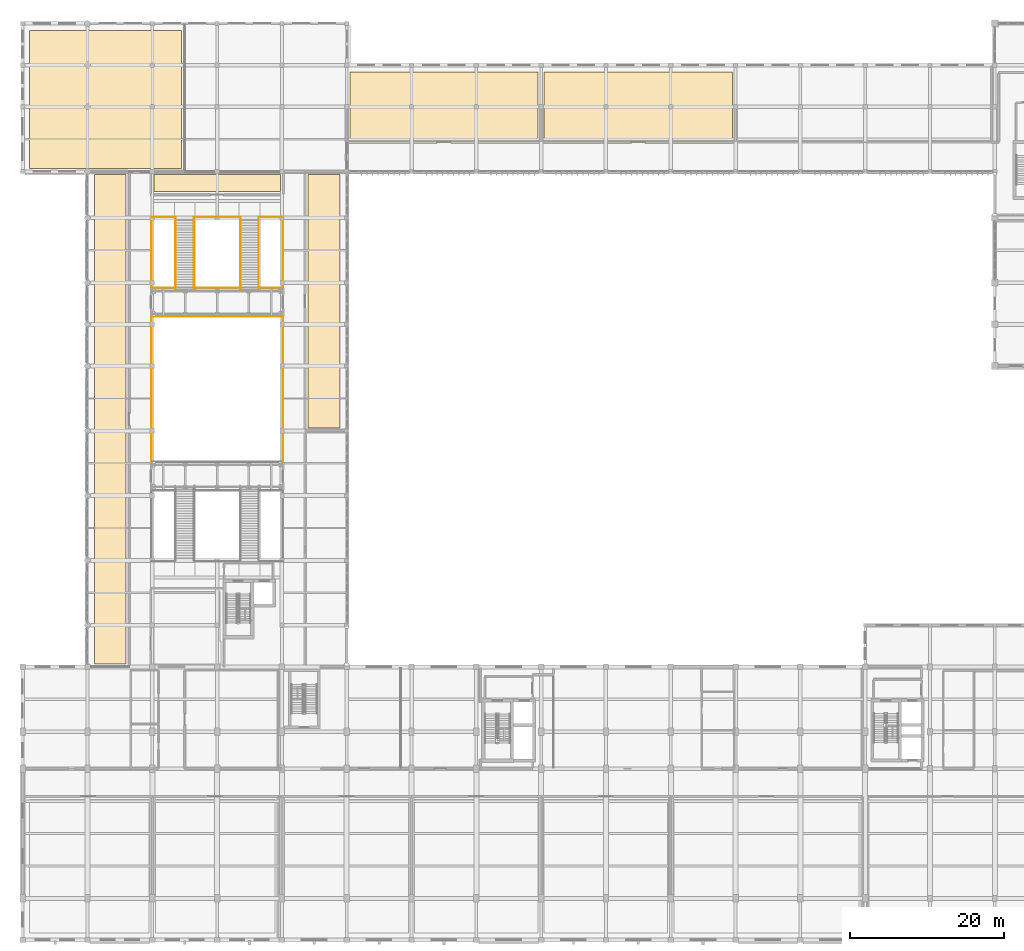
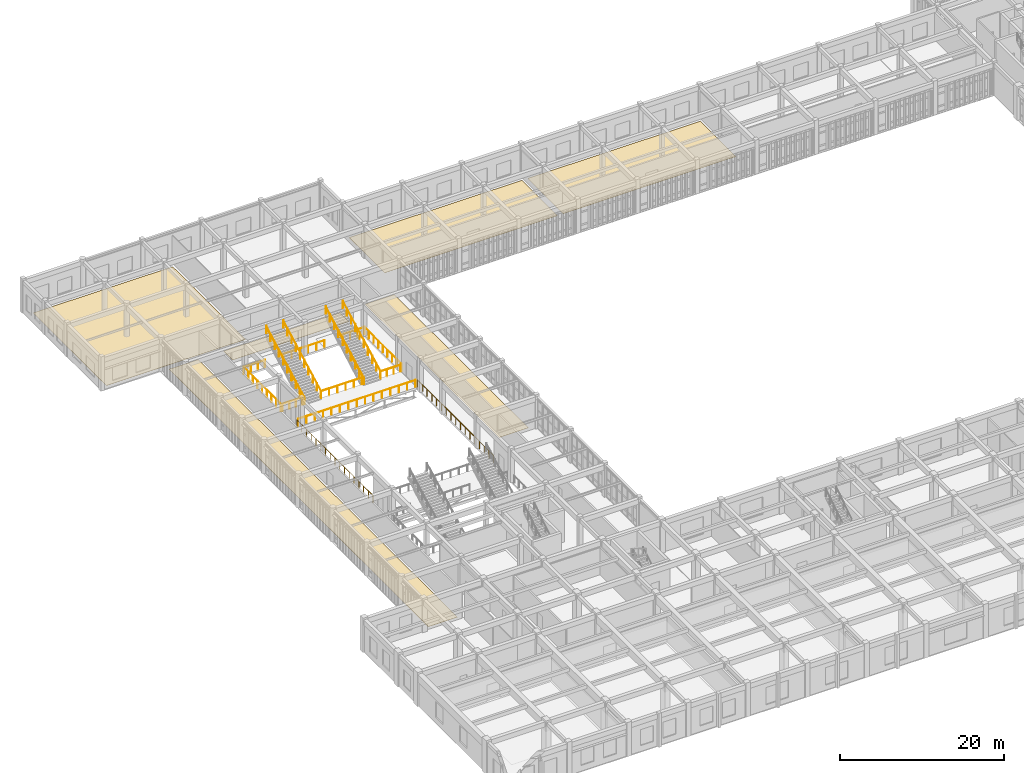
# One storey, part 105 of 106: 17 railings, 6 coverings.
"""IFC4 building model written with IfcOpenShell, lengths in metres."""

from ifc_helpers import new_model, si_unit, direction, frame, origin, origin_2d, place, context, subcontext, project, spatial, polyline, circle, outline, extrude, material, layer, layer_set, type_object, element, save


model = new_model("IFC4")

# Units and contexts
model_context = context("Model", 3, precision=1e-05, world=origin(), true_north=direction((0.0, 1.0)))
body_context = subcontext(model_context, "Body", "Model", "MODEL_VIEW")
ifc_project = project(units=[si_unit("LENGTHUNIT", "METRE"), si_unit("AREAUNIT", "SQUARE_METRE"), si_unit("VOLUMEUNIT", "CUBIC_METRE"), si_unit("PLANEANGLEUNIT", "RADIAN"), si_unit("MASSUNIT", "GRAM", prefix="KILO")], contexts=[model_context])

# Site, building, storey
site_placement = place(None, origin())
site = spatial("IfcSite", under=ifc_project, at=site_placement, CompositionType="ELEMENT")
building_placement = place(site_placement, origin())
building = spatial("IfcBuilding", under=site, at=building_placement, Name="Krzemoval Escarpment Law Courts", CompositionType="ELEMENT")
storey_placement = place(building_placement, frame((0.0, 0.0, 5.10009765625)))
storey = spatial("IfcBuildingStorey", under=building, at=storey_placement, Name="L01", CompositionType="ELEMENT", Elevation=5.10009765625)

# Coverings
ifc_material_1 = material(Name="Honed Silesian Granite Stone Flooring", Category="masonry")
ifc_layer = layer(ifc_material_1, 0.030029296875)
ifc_layer_set = layer_set([ifc_layer], Name="Honed Silesian Granite Stone Flooring")
covering_type = type_object("IfcCoveringType", Name="COV-FLR-STN30", PredefinedType="FLOORING", material=ifc_layer_set)
covering_1_placement = place(storey_placement, origin())
element("IfcCovering", 1, at=covering_1_placement, inside=storey, type_object=covering_type, Name="Stone Floor Finish FLR-L01-15", PredefinedType="FLOORING", context=body_context, shape_type="SweptSolid", body=[
    extrude(outline(polyline([(9.300048828125, 35.800048828125), (9.300048828125, 99.199951171875), (13.39990234375, 99.199951171875), (13.39990234375, 35.800048828125), (9.300048828125, 35.800048828125)])), origin(), (0.0, 0.0, 1.0), 0.02978515625),
])
covering_2_placement = place(storey_placement, origin())
element("IfcCovering", 2, at=covering_2_placement, inside=storey, type_object=covering_type, Name="Stone Floor Finish FLR-L01-17", PredefinedType="FLOORING", context=body_context, shape_type="SweptSolid", body=[
    extrude(outline(polyline([(37.0, 66.39990234375), (37.0, 99.199951171875), (41.10009765625, 99.199951171875), (41.10009765625, 66.39990234375), (37.0, 66.39990234375)])), origin(), (0.0, 0.0, 1.0), 0.02978515625),
])
covering_3_placement = place(storey_placement, origin())
element("IfcCovering", 3, at=covering_3_placement, inside=storey, type_object=covering_type, Name="Stone Floor Finish FLR-L01-18", PredefinedType="FLOORING", context=body_context, shape_type="SweptSolid", body=[
    extrude(outline(polyline([(17.0, 97.0), (17.0, 99.199951171875), (33.39990234375, 99.199951171875), (33.39990234375, 97.0), (17.0, 97.0)])), origin(), (0.0, 0.0, 1.0), 0.02978515625),
])
covering_4_placement = place(storey_placement, origin())
element("IfcCovering", 4, at=covering_4_placement, inside=storey, type_object=covering_type, Name="Stone Floor Finish FLR-L01-19", PredefinedType="FLOORING", context=body_context, shape_type="SweptSolid", body=[
    extrude(outline(polyline([(0.89990234375, 100.0), (0.89990234375, 117.89990234375), (20.60009765625, 117.89990234375), (20.60009765625, 100.0), (0.89990234375, 100.0)])), origin(), (0.0, 0.0, 1.0), 0.02978515625),
])
covering_5_placement = place(storey_placement, origin())
element("IfcCovering", 5, at=covering_5_placement, inside=storey, type_object=covering_type, Name="Stone Floor Finish FLR-L01-20", PredefinedType="FLOORING", context=body_context, shape_type="SweptSolid", body=[
    extrude(outline(polyline([(42.39990234375, 103.800048828125), (42.39990234375, 112.5), (66.800048828125, 112.5), (66.800048828125, 103.800048828125), (42.39990234375, 103.800048828125)])), origin(), (0.0, 0.0, 1.0), 0.02978515625),
])
covering_6_placement = place(storey_placement, origin())
element("IfcCovering", 6, at=covering_6_placement, inside=storey, type_object=covering_type, Name="Stone Floor Finish FLR-L01-21", PredefinedType="FLOORING", context=body_context, shape_type="SweptSolid", body=[
    extrude(outline(polyline([(67.60009765625, 103.800048828125), (67.60009765625, 112.5), (92.0, 112.5), (92.0, 103.800048828125), (67.60009765625, 103.800048828125)])), origin(), (0.0, 0.0, 1.0), 0.02978515625),
])

# Railings
ifc_material_2 = material(Name="Stainless Steel Grade 316L and Laminated Safety Glass Guard", Category="steel")
railing_type_1 = type_object("IfcRailingType", Name="RL-BAL-1100", PredefinedType="BALUSTRADE", material=ifc_material_2)
railing_1_placement = place(storey_placement, frame((16.679931640625, 93.719970703125, 0.0)))
element("IfcRailing", 7, at=railing_1_placement, inside=storey, type_object=railing_type_1, Name="Atrium Void Balustrade VG-L01-055", PredefinedType="BALUSTRADE", context=body_context, shape_type="SweptSolid", body=[
    extrude(circle(Radius=0.02392578125, at=origin_2d()), frame((0.0, 0.0, 1.076171875), z_axis=(1.0, 0.0, 0.0), x_axis=(0.0, 1.0, 0.0)), (0.0, 0.0, 1.0), 3.02001953125),
    extrude(circle(Radius=0.02099609375, at=origin_2d()), origin(), (0.0, 0.0, 1.0), 1.052001953125),
    extrude(circle(Radius=0.02099609375, at=origin_2d()), frame((1.006591796875, 0.0, 0.0)), (0.0, 0.0, 1.0), 1.052001953125),
    extrude(circle(Radius=0.02099609375, at=origin_2d()), frame((2.013427734375, 0.0, 0.0)), (0.0, 0.0, 1.0), 1.052001953125),
    extrude(circle(Radius=0.02099609375, at=origin_2d()), frame((3.02001953125, 0.0, 0.0)), (0.0, 0.0, 1.0), 1.052001953125),
])
railing_2_placement = place(storey_placement, frame((22.300048828125, 93.719970703125, 0.0)))
element("IfcRailing", 8, at=railing_2_placement, inside=storey, type_object=railing_type_1, Name="Atrium Void Balustrade VG-L01-056", PredefinedType="BALUSTRADE", context=body_context, shape_type="SweptSolid", body=[
    extrude(circle(Radius=0.02392578125, at=origin_2d()), frame((0.0, 0.0, 1.076171875), z_axis=(1.0, 0.0, 0.0), x_axis=(0.0, 1.0, 0.0)), (0.0, 0.0, 1.0), 5.800048828125),
    extrude(circle(Radius=0.02099609375, at=origin_2d()), origin(), (0.0, 0.0, 1.0), 1.052001953125),
    extrude(circle(Radius=0.02099609375, at=origin_2d()), frame((1.159912109375, 0.0, 0.0)), (0.0, 0.0, 1.0), 1.052001953125),
    extrude(circle(Radius=0.02099609375, at=origin_2d()), frame((2.320068359375, 0.0, 0.0)), (0.0, 0.0, 1.0), 1.052001953125),
    extrude(circle(Radius=0.02099609375, at=origin_2d()), frame((3.47998046875, 0.0, 0.0)), (0.0, 0.0, 1.0), 1.052001953125),
    extrude(circle(Radius=0.02099609375, at=origin_2d()), frame((4.64013671875, 0.0, 0.0)), (0.0, 0.0, 1.0), 1.052001953125),
    extrude(circle(Radius=0.02099609375, at=origin_2d()), frame((5.800048828125, 0.0, 0.0)), (0.0, 0.0, 1.0), 1.052001953125),
])
railing_3_placement = place(storey_placement, frame((30.699951171875, 93.719970703125, 0.0)))
element("IfcRailing", 9, at=railing_3_placement, inside=storey, type_object=railing_type_1, Name="Atrium Void Balustrade VG-L01-057", PredefinedType="BALUSTRADE", context=body_context, shape_type="SweptSolid", body=[
    extrude(circle(Radius=0.02392578125, at=origin_2d()), frame((0.0, 0.0, 1.076171875), z_axis=(1.0, 0.0, 0.0), x_axis=(0.0, 1.0, 0.0)), (0.0, 0.0, 1.0), 3.02001953125),
    extrude(circle(Radius=0.02099609375, at=origin_2d()), origin(), (0.0, 0.0, 1.0), 1.052001953125),
    extrude(circle(Radius=0.02099609375, at=origin_2d()), frame((1.006591796875, 0.0, 0.0)), (0.0, 0.0, 1.0), 1.052001953125),
    extrude(circle(Radius=0.02099609375, at=origin_2d()), frame((2.013427734375, 0.0, 0.0)), (0.0, 0.0, 1.0), 1.052001953125),
    extrude(circle(Radius=0.02099609375, at=origin_2d()), frame((3.02001953125, 0.0, 0.0)), (0.0, 0.0, 1.0), 1.052001953125),
])
railing_4_placement = place(storey_placement, frame((16.679931640625, 62.080078125, 0.0)))
element("IfcRailing", 10, at=railing_4_placement, inside=storey, type_object=railing_type_1, Name="Atrium Void Balustrade VG-L01-059", PredefinedType="BALUSTRADE", context=body_context, shape_type="SweptSolid", body=[
    extrude(circle(Radius=0.02392578125, at=origin_2d()), frame((0.0, 0.0, 1.076171875), z_axis=(0.0, 1.0, 0.0), x_axis=(-1.0, 0.0, 0.0)), (0.0, 0.0, 1.0), 18.639892578125),
    extrude(circle(Radius=0.02099609375, at=origin_2d()), origin(), (0.0, 0.0, 1.0), 1.052001953125),
    extrude(circle(Radius=0.02099609375, at=origin_2d()), frame((0.0, 1.1650390625, 0.0)), (0.0, 0.0, 1.0), 1.052001953125),
    extrude(circle(Radius=0.02099609375, at=origin_2d()), frame((0.0, 2.330078125, 0.0)), (0.0, 0.0, 1.0), 1.052001953125),
    extrude(circle(Radius=0.02099609375, at=origin_2d()), frame((0.0, 3.494873046875, 0.0)), (0.0, 0.0, 1.0), 1.052001953125),
    extrude(circle(Radius=0.02099609375, at=origin_2d()), frame((0.0, 4.659912109375, 0.0)), (0.0, 0.0, 1.0), 1.052001953125),
    extrude(circle(Radius=0.02099609375, at=origin_2d()), frame((0.0, 5.824951171875, 0.0)), (0.0, 0.0, 1.0), 1.052001953125),
    extrude(circle(Radius=0.02099609375, at=origin_2d()), frame((0.0, 6.989990234375, 0.0)), (0.0, 0.0, 1.0), 1.052001953125),
    extrude(circle(Radius=0.02099609375, at=origin_2d()), frame((0.0, 8.155029296875, 0.0)), (0.0, 0.0, 1.0), 1.052001953125),
    extrude(circle(Radius=0.02099609375, at=origin_2d()), frame((0.0, 9.31982421875, 0.0)), (0.0, 0.0, 1.0), 1.052001953125),
    extrude(circle(Radius=0.02099609375, at=origin_2d()), frame((0.0, 10.48486328125, 0.0)), (0.0, 0.0, 1.0), 1.052001953125),
    extrude(circle(Radius=0.02099609375, at=origin_2d()), frame((0.0, 11.64990234375, 0.0)), (0.0, 0.0, 1.0), 1.052001953125),
    extrude(circle(Radius=0.02099609375, at=origin_2d()), frame((0.0, 12.81494140625, 0.0)), (0.0, 0.0, 1.0), 1.052001953125),
    extrude(circle(Radius=0.02099609375, at=origin_2d()), frame((0.0, 13.97998046875, 0.0)), (0.0, 0.0, 1.0), 1.052001953125),
    extrude(circle(Radius=0.02099609375, at=origin_2d()), frame((0.0, 15.14501953125, 0.0)), (0.0, 0.0, 1.0), 1.052001953125),
    extrude(circle(Radius=0.02099609375, at=origin_2d()), frame((0.0, 16.309814453125, 0.0)), (0.0, 0.0, 1.0), 1.052001953125),
    extrude(circle(Radius=0.02099609375, at=origin_2d()), frame((0.0, 17.474853515625, 0.0)), (0.0, 0.0, 1.0), 1.052001953125),
    extrude(circle(Radius=0.02099609375, at=origin_2d()), frame((0.0, 18.639892578125, 0.0)), (0.0, 0.0, 1.0), 1.052001953125),
])
railing_5_placement = place(storey_placement, frame((16.679931640625, 84.64990234375, 0.0)))
element("IfcRailing", 11, at=railing_5_placement, inside=storey, type_object=railing_type_1, Name="Atrium Void Balustrade VG-L01-060", PredefinedType="BALUSTRADE", context=body_context, shape_type="SweptSolid", body=[
    extrude(circle(Radius=0.02392578125, at=origin_2d()), frame((0.0, 0.0, 1.076171875), z_axis=(0.0, 1.0, 0.0), x_axis=(-1.0, 0.0, 0.0)), (0.0, 0.0, 1.0), 9.070068359375),
    extrude(circle(Radius=0.02099609375, at=origin_2d()), origin(), (0.0, 0.0, 1.0), 1.052001953125),
    extrude(circle(Radius=0.02099609375, at=origin_2d()), frame((0.0, 1.1337890625, 0.0)), (0.0, 0.0, 1.0), 1.052001953125),
    extrude(circle(Radius=0.02099609375, at=origin_2d()), frame((0.0, 2.267578125, 0.0)), (0.0, 0.0, 1.0), 1.052001953125),
    extrude(circle(Radius=0.02099609375, at=origin_2d()), frame((0.0, 3.4013671875, 0.0)), (0.0, 0.0, 1.0), 1.052001953125),
    extrude(circle(Radius=0.02099609375, at=origin_2d()), frame((0.0, 4.53515625, 0.0)), (0.0, 0.0, 1.0), 1.052001953125),
    extrude(circle(Radius=0.02099609375, at=origin_2d()), frame((0.0, 5.668701171875, 0.0)), (0.0, 0.0, 1.0), 1.052001953125),
    extrude(circle(Radius=0.02099609375, at=origin_2d()), frame((0.0, 6.802490234375, 0.0)), (0.0, 0.0, 1.0), 1.052001953125),
    extrude(circle(Radius=0.02099609375, at=origin_2d()), frame((0.0, 7.936279296875, 0.0)), (0.0, 0.0, 1.0), 1.052001953125),
    extrude(circle(Radius=0.02099609375, at=origin_2d()), frame((0.0, 9.070068359375, 0.0)), (0.0, 0.0, 1.0), 1.052001953125),
])
railing_6_placement = place(storey_placement, frame((33.719970703125, 62.080078125, 0.0)))
element("IfcRailing", 12, at=railing_6_placement, inside=storey, type_object=railing_type_1, Name="Atrium Void Balustrade VG-L01-062", PredefinedType="BALUSTRADE", context=body_context, shape_type="SweptSolid", body=[
    extrude(circle(Radius=0.02392578125, at=origin_2d()), frame((0.0, 0.0, 1.076171875), z_axis=(0.0, 1.0, 0.0), x_axis=(-1.0, 0.0, 0.0)), (0.0, 0.0, 1.0), 18.639892578125),
    extrude(circle(Radius=0.02099609375, at=origin_2d()), origin(), (0.0, 0.0, 1.0), 1.052001953125),
    extrude(circle(Radius=0.02099609375, at=origin_2d()), frame((0.0, 1.1650390625, 0.0)), (0.0, 0.0, 1.0), 1.052001953125),
    extrude(circle(Radius=0.02099609375, at=origin_2d()), frame((0.0, 2.330078125, 0.0)), (0.0, 0.0, 1.0), 1.052001953125),
    extrude(circle(Radius=0.02099609375, at=origin_2d()), frame((0.0, 3.494873046875, 0.0)), (0.0, 0.0, 1.0), 1.052001953125),
    extrude(circle(Radius=0.02099609375, at=origin_2d()), frame((0.0, 4.659912109375, 0.0)), (0.0, 0.0, 1.0), 1.052001953125),
    extrude(circle(Radius=0.02099609375, at=origin_2d()), frame((0.0, 5.824951171875, 0.0)), (0.0, 0.0, 1.0), 1.052001953125),
    extrude(circle(Radius=0.02099609375, at=origin_2d()), frame((0.0, 6.989990234375, 0.0)), (0.0, 0.0, 1.0), 1.052001953125),
    extrude(circle(Radius=0.02099609375, at=origin_2d()), frame((0.0, 8.155029296875, 0.0)), (0.0, 0.0, 1.0), 1.052001953125),
    extrude(circle(Radius=0.02099609375, at=origin_2d()), frame((0.0, 9.31982421875, 0.0)), (0.0, 0.0, 1.0), 1.052001953125),
    extrude(circle(Radius=0.02099609375, at=origin_2d()), frame((0.0, 10.48486328125, 0.0)), (0.0, 0.0, 1.0), 1.052001953125),
    extrude(circle(Radius=0.02099609375, at=origin_2d()), frame((0.0, 11.64990234375, 0.0)), (0.0, 0.0, 1.0), 1.052001953125),
    extrude(circle(Radius=0.02099609375, at=origin_2d()), frame((0.0, 12.81494140625, 0.0)), (0.0, 0.0, 1.0), 1.052001953125),
    extrude(circle(Radius=0.02099609375, at=origin_2d()), frame((0.0, 13.97998046875, 0.0)), (0.0, 0.0, 1.0), 1.052001953125),
    extrude(circle(Radius=0.02099609375, at=origin_2d()), frame((0.0, 15.14501953125, 0.0)), (0.0, 0.0, 1.0), 1.052001953125),
    extrude(circle(Radius=0.02099609375, at=origin_2d()), frame((0.0, 16.309814453125, 0.0)), (0.0, 0.0, 1.0), 1.052001953125),
    extrude(circle(Radius=0.02099609375, at=origin_2d()), frame((0.0, 17.474853515625, 0.0)), (0.0, 0.0, 1.0), 1.052001953125),
    extrude(circle(Radius=0.02099609375, at=origin_2d()), frame((0.0, 18.639892578125, 0.0)), (0.0, 0.0, 1.0), 1.052001953125),
])
railing_7_placement = place(storey_placement, frame((33.719970703125, 84.64990234375, 0.0)))
element("IfcRailing", 13, at=railing_7_placement, inside=storey, type_object=railing_type_1, Name="Atrium Void Balustrade VG-L01-063", PredefinedType="BALUSTRADE", context=body_context, shape_type="SweptSolid", body=[
    extrude(circle(Radius=0.02392578125, at=origin_2d()), frame((0.0, 0.0, 1.076171875), z_axis=(0.0, 1.0, 0.0), x_axis=(-1.0, 0.0, 0.0)), (0.0, 0.0, 1.0), 9.070068359375),
    extrude(circle(Radius=0.02099609375, at=origin_2d()), origin(), (0.0, 0.0, 1.0), 1.052001953125),
    extrude(circle(Radius=0.02099609375, at=origin_2d()), frame((0.0, 1.1337890625, 0.0)), (0.0, 0.0, 1.0), 1.052001953125),
    extrude(circle(Radius=0.02099609375, at=origin_2d()), frame((0.0, 2.267578125, 0.0)), (0.0, 0.0, 1.0), 1.052001953125),
    extrude(circle(Radius=0.02099609375, at=origin_2d()), frame((0.0, 3.4013671875, 0.0)), (0.0, 0.0, 1.0), 1.052001953125),
    extrude(circle(Radius=0.02099609375, at=origin_2d()), frame((0.0, 4.53515625, 0.0)), (0.0, 0.0, 1.0), 1.052001953125),
    extrude(circle(Radius=0.02099609375, at=origin_2d()), frame((0.0, 5.668701171875, 0.0)), (0.0, 0.0, 1.0), 1.052001953125),
    extrude(circle(Radius=0.02099609375, at=origin_2d()), frame((0.0, 6.802490234375, 0.0)), (0.0, 0.0, 1.0), 1.052001953125),
    extrude(circle(Radius=0.02099609375, at=origin_2d()), frame((0.0, 7.936279296875, 0.0)), (0.0, 0.0, 1.0), 1.052001953125),
    extrude(circle(Radius=0.02099609375, at=origin_2d()), frame((0.0, 9.070068359375, 0.0)), (0.0, 0.0, 1.0), 1.052001953125),
])
railing_8_placement = place(storey_placement, frame((16.89990234375, 80.820068359375, 0.0)))
element("IfcRailing", 14, at=railing_8_placement, inside=storey, type_object=railing_type_1, Name="Sky-Bridge South Guardrail BG-L01-106", PredefinedType="BALUSTRADE", context=body_context, shape_type="SweptSolid", body=[
    extrude(circle(Radius=0.02392578125, at=origin_2d()), frame((0.0, 0.0, 1.076171875), z_axis=(1.0, 0.0, 0.0), x_axis=(0.0, 1.0, 0.0)), (0.0, 0.0, 1.0), 16.60009765625),
    extrude(circle(Radius=0.02099609375, at=origin_2d()), origin(), (0.0, 0.0, 1.0), 1.052001953125),
    extrude(circle(Radius=0.02099609375, at=origin_2d()), frame((1.185791015625, 0.0, 0.0)), (0.0, 0.0, 1.0), 1.052001953125),
    extrude(circle(Radius=0.02099609375, at=origin_2d()), frame((2.371337890625, 0.0, 0.0)), (0.0, 0.0, 1.0), 1.052001953125),
    extrude(circle(Radius=0.02099609375, at=origin_2d()), frame((3.55712890625, 0.0, 0.0)), (0.0, 0.0, 1.0), 1.052001953125),
    extrude(circle(Radius=0.02099609375, at=origin_2d()), frame((4.742919921875, 0.0, 0.0)), (0.0, 0.0, 1.0), 1.052001953125),
    extrude(circle(Radius=0.02099609375, at=origin_2d()), frame((5.9287109375, 0.0, 0.0)), (0.0, 0.0, 1.0), 1.052001953125),
    extrude(circle(Radius=0.02099609375, at=origin_2d()), frame((7.1142578125, 0.0, 0.0)), (0.0, 0.0, 1.0), 1.052001953125),
    extrude(circle(Radius=0.02099609375, at=origin_2d()), frame((8.300048828125, 0.0, 0.0)), (0.0, 0.0, 1.0), 1.052001953125),
    extrude(circle(Radius=0.02099609375, at=origin_2d()), frame((9.48583984375, 0.0, 0.0)), (0.0, 0.0, 1.0), 1.052001953125),
    extrude(circle(Radius=0.02099609375, at=origin_2d()), frame((10.67138671875, 0.0, 0.0)), (0.0, 0.0, 1.0), 1.052001953125),
    extrude(circle(Radius=0.02099609375, at=origin_2d()), frame((11.857177734375, 0.0, 0.0)), (0.0, 0.0, 1.0), 1.052001953125),
    extrude(circle(Radius=0.02099609375, at=origin_2d()), frame((13.04296875, 0.0, 0.0)), (0.0, 0.0, 1.0), 1.052001953125),
    extrude(circle(Radius=0.02099609375, at=origin_2d()), frame((14.228759765625, 0.0, 0.0)), (0.0, 0.0, 1.0), 1.052001953125),
    extrude(circle(Radius=0.02099609375, at=origin_2d()), frame((15.414306640625, 0.0, 0.0)), (0.0, 0.0, 1.0), 1.052001953125),
    extrude(circle(Radius=0.02099609375, at=origin_2d()), frame((16.60009765625, 0.0, 0.0)), (0.0, 0.0, 1.0), 1.052001953125),
])
railing_9_placement = place(storey_placement, frame((16.89990234375, 84.550048828125, 0.0)))
element("IfcRailing", 15, at=railing_9_placement, inside=storey, type_object=railing_type_1, Name="Sky-Bridge North Guardrail BG-L01-107", PredefinedType="BALUSTRADE", context=body_context, shape_type="SweptSolid", body=[
    extrude(circle(Radius=0.02392578125, at=origin_2d()), frame((0.0, 0.0, 1.076171875), z_axis=(1.0, 0.0, 0.0), x_axis=(0.0, 1.0, 0.0)), (0.0, 0.0, 1.0), 2.800048828125),
    extrude(circle(Radius=0.02099609375, at=origin_2d()), origin(), (0.0, 0.0, 1.0), 1.052001953125),
    extrude(circle(Radius=0.02099609375, at=origin_2d()), frame((0.933349609375, 0.0, 0.0)), (0.0, 0.0, 1.0), 1.052001953125),
    extrude(circle(Radius=0.02099609375, at=origin_2d()), frame((1.86669921875, 0.0, 0.0)), (0.0, 0.0, 1.0), 1.052001953125),
    extrude(circle(Radius=0.02099609375, at=origin_2d()), frame((2.800048828125, 0.0, 0.0)), (0.0, 0.0, 1.0), 1.052001953125),
])
railing_10_placement = place(storey_placement, frame((22.300048828125, 84.550048828125, 0.0)))
element("IfcRailing", 16, at=railing_10_placement, inside=storey, type_object=railing_type_1, Name="Sky-Bridge North Guardrail BG-L01-108", PredefinedType="BALUSTRADE", context=body_context, shape_type="SweptSolid", body=[
    extrude(circle(Radius=0.02392578125, at=origin_2d()), frame((0.0, 0.0, 1.076171875), z_axis=(1.0, 0.0, 0.0), x_axis=(0.0, 1.0, 0.0)), (0.0, 0.0, 1.0), 5.800048828125),
    extrude(circle(Radius=0.02099609375, at=origin_2d()), origin(), (0.0, 0.0, 1.0), 1.052001953125),
    extrude(circle(Radius=0.02099609375, at=origin_2d()), frame((1.159912109375, 0.0, 0.0)), (0.0, 0.0, 1.0), 1.052001953125),
    extrude(circle(Radius=0.02099609375, at=origin_2d()), frame((2.320068359375, 0.0, 0.0)), (0.0, 0.0, 1.0), 1.052001953125),
    extrude(circle(Radius=0.02099609375, at=origin_2d()), frame((3.47998046875, 0.0, 0.0)), (0.0, 0.0, 1.0), 1.052001953125),
    extrude(circle(Radius=0.02099609375, at=origin_2d()), frame((4.64013671875, 0.0, 0.0)), (0.0, 0.0, 1.0), 1.052001953125),
    extrude(circle(Radius=0.02099609375, at=origin_2d()), frame((5.800048828125, 0.0, 0.0)), (0.0, 0.0, 1.0), 1.052001953125),
])
railing_11_placement = place(storey_placement, frame((30.699951171875, 84.550048828125, 0.0)))
element("IfcRailing", 17, at=railing_11_placement, inside=storey, type_object=railing_type_1, Name="Sky-Bridge North Guardrail BG-L01-109", PredefinedType="BALUSTRADE", context=body_context, shape_type="SweptSolid", body=[
    extrude(circle(Radius=0.02392578125, at=origin_2d()), frame((0.0, 0.0, 1.076171875), z_axis=(1.0, 0.0, 0.0), x_axis=(0.0, 1.0, 0.0)), (0.0, 0.0, 1.0), 2.800048828125),
    extrude(circle(Radius=0.02099609375, at=origin_2d()), origin(), (0.0, 0.0, 1.0), 1.052001953125),
    extrude(circle(Radius=0.02099609375, at=origin_2d()), frame((0.933349609375, 0.0, 0.0)), (0.0, 0.0, 1.0), 1.052001953125),
    extrude(circle(Radius=0.02099609375, at=origin_2d()), frame((1.86669921875, 0.0, 0.0)), (0.0, 0.0, 1.0), 1.052001953125),
    extrude(circle(Radius=0.02099609375, at=origin_2d()), frame((2.800048828125, 0.0, 0.0)), (0.0, 0.0, 1.0), 1.052001953125),
])
for number, where, name in (
    (18, (19.800048828125, 84.320068359375, 0.169921875), "Feature Stair Guard ST10-L01 L"),
    (19, (22.199951171875, 84.320068359375, 0.169921875), "Feature Stair Guard ST10-L01 R"),
    (20, (28.199951171875, 84.320068359375, 0.169921875), "Feature Stair Guard ST11-L01 L"),
    (21, (30.60009765625, 84.320068359375, 0.169921875), "Feature Stair Guard ST11-L01 R"),
):
    element("IfcRailing", number, at=place(storey_placement, frame(where)), inside=storey, type_object=railing_type_1, Name=name, PredefinedType="BALUSTRADE", context=body_context, shape_type="SweptSolid", body=[
        extrude(circle(Radius=0.02392578125, at=origin_2d()), frame((0.0, 0.0, 1.076171875), z_axis=(0.0, 0.88311902836, 0.469148997387), x_axis=(-1.0, 0.0, 0.0)), (0.0, 0.0, 1.0), 10.50830078125),
        extrude(circle(Radius=0.02099609375, at=origin_2d()), origin(), (0.0, 0.0, 1.0), 1.052001953125),
        extrude(circle(Radius=0.02099609375, at=origin_2d()), frame((0.0, 1.031005859375, 0.5478515625)), (0.0, 0.0, 1.0), 1.052001953125),
        extrude(circle(Radius=0.02099609375, at=origin_2d()), frame((0.0, 2.062255859375, 1.095458984375)), (0.0, 0.0, 1.0), 1.052001953125),
        extrude(circle(Radius=0.02099609375, at=origin_2d()), frame((0.0, 3.09326171875, 1.643310546875)), (0.0, 0.0, 1.0), 1.052001953125),
        extrude(circle(Radius=0.02099609375, at=origin_2d()), frame((0.0, 4.12451171875, 2.191162109375)), (0.0, 0.0, 1.0), 1.052001953125),
        extrude(circle(Radius=0.02099609375, at=origin_2d()), frame((0.0, 5.155517578125, 2.73876953125)), (0.0, 0.0, 1.0), 1.052001953125),
        extrude(circle(Radius=0.02099609375, at=origin_2d()), frame((0.0, 6.186767578125, 3.28662109375)), (0.0, 0.0, 1.0), 1.052001953125),
        extrude(circle(Radius=0.02099609375, at=origin_2d()), frame((0.0, 7.2177734375, 3.83447265625)), (0.0, 0.0, 1.0), 1.052001953125),
        extrude(circle(Radius=0.02099609375, at=origin_2d()), frame((0.0, 8.2490234375, 4.382080078125)), (0.0, 0.0, 1.0), 1.052001953125),
        extrude(circle(Radius=0.02099609375, at=origin_2d()), frame((0.0, 9.280029296875, 4.929931640625)), (0.0, 0.0, 1.0), 1.052001953125),
    ])
ifc_material_3 = material(Name="Brushed Stainless Steel Grade 304 Handrail", Category="steel")
railing_type_2 = type_object("IfcRailingType", Name="RL-HND-900", PredefinedType="HANDRAIL", material=ifc_material_3)
for number, where, name in (
    (22, (19.830078125, 84.320068359375, 0.169921875), "Feature Stair Handrail ST10-L01"),
    (23, (28.22998046875, 84.320068359375, 0.169921875), "Feature Stair Handrail ST11-L01"),
):
    element("IfcRailing", number, at=place(storey_placement, frame(where)), inside=storey, type_object=railing_type_2, Name=name, PredefinedType="HANDRAIL", context=body_context, shape_type="SweptSolid", body=[
        extrude(circle(Radius=0.02392578125, at=origin_2d()), frame((0.0, 0.0, 0.8759765625), z_axis=(0.0, 0.88311902836, 0.469148997387), x_axis=(-1.0, 0.0, 0.0)), (0.0, 0.0, 1.0), 10.50830078125),
        extrude(circle(Radius=0.02099609375, at=origin_2d()), origin(), (0.0, 0.0, 1.0), 0.851806640625),
        extrude(circle(Radius=0.02099609375, at=origin_2d()), frame((0.0, 1.031005859375, 0.5478515625)), (0.0, 0.0, 1.0), 0.851806640625),
        extrude(circle(Radius=0.02099609375, at=origin_2d()), frame((0.0, 2.062255859375, 1.095458984375)), (0.0, 0.0, 1.0), 0.851806640625),
        extrude(circle(Radius=0.02099609375, at=origin_2d()), frame((0.0, 3.09326171875, 1.643310546875)), (0.0, 0.0, 1.0), 0.851806640625),
        extrude(circle(Radius=0.02099609375, at=origin_2d()), frame((0.0, 4.12451171875, 2.191162109375)), (0.0, 0.0, 1.0), 0.851806640625),
        extrude(circle(Radius=0.02099609375, at=origin_2d()), frame((0.0, 5.155517578125, 2.73876953125)), (0.0, 0.0, 1.0), 0.851806640625),
        extrude(circle(Radius=0.02099609375, at=origin_2d()), frame((0.0, 6.186767578125, 3.28662109375)), (0.0, 0.0, 1.0), 0.851806640625),
        extrude(circle(Radius=0.02099609375, at=origin_2d()), frame((0.0, 7.2177734375, 3.83447265625)), (0.0, 0.0, 1.0), 0.851806640625),
        extrude(circle(Radius=0.02099609375, at=origin_2d()), frame((0.0, 8.2490234375, 4.382080078125)), (0.0, 0.0, 1.0), 0.851806640625),
        extrude(circle(Radius=0.02099609375, at=origin_2d()), frame((0.0, 9.280029296875, 4.929931640625)), (0.0, 0.0, 1.0), 0.851806640625),
    ])

save(model, "model.ifc")
